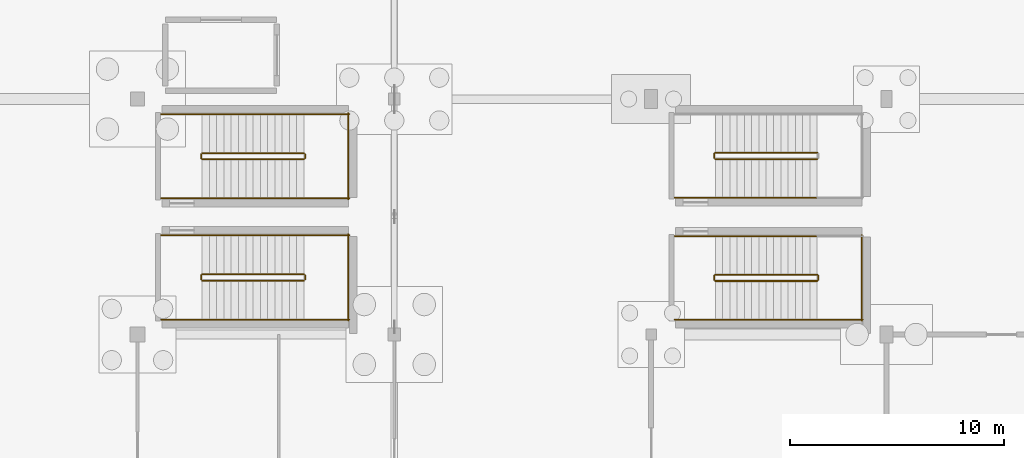
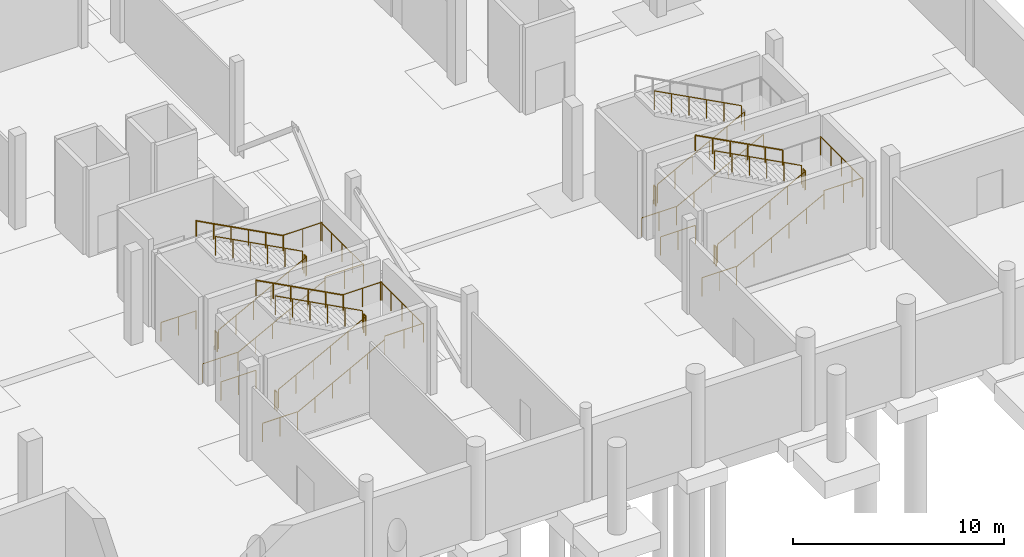
# One storey, part 53 of 60: 37 railings.
"""IFC4 building model written with IfcOpenShell, lengths in metres."""

from ifc_helpers import new_model, si_unit, direction, frame, origin, origin_2d, place, context, subcontext, project, spatial, circle, extrude, material, type_object, element, save


model = new_model("IFC4")

# Units and contexts
model_context = context("Model", 3, precision=1e-05, world=origin(), true_north=direction((0.0, 1.0)))
body_context = subcontext(model_context, "Body", "Model", "MODEL_VIEW")
ifc_project = project(units=[si_unit("LENGTHUNIT", "METRE"), si_unit("AREAUNIT", "SQUARE_METRE"), si_unit("VOLUMEUNIT", "CUBIC_METRE"), si_unit("PLANEANGLEUNIT", "RADIAN"), si_unit("MASSUNIT", "GRAM", prefix="KILO")], contexts=[model_context])

# Site, building, storey
site_placement = place(None, origin())
site = spatial("IfcSite", under=ifc_project, at=site_placement, CompositionType="ELEMENT")
building_placement = place(site_placement, origin())
building = spatial("IfcBuilding", under=site, at=building_placement, Name="Luwafu Chhajja Arena", CompositionType="ELEMENT")
storey_placement = place(building_placement, frame((0.0, 0.0, -5.39990234375)))
storey = spatial("IfcBuildingStorey", under=building, at=storey_placement, Name="B1", CompositionType="ELEMENT", Elevation=-5.39990234375)

# Railings
ifc_material_1 = material(Name="Stainless steel handrail", Category="steel")
railing_type_1 = type_object("IfcRailingType", Name="Stair Pitch Wall Handrail 920", PredefinedType="HANDRAIL", material=ifc_material_1)
railing_1_placement = place(storey_placement, frame((155.02001953125, 11.699951171875, 0.179931640625)))
element("IfcRailing", 1, at=railing_1_placement, inside=storey, type_object=railing_type_1, Name="B1 ST-03 stair handrail 1", PredefinedType="HANDRAIL", context=body_context, shape_type="SweptSolid", body=[
    extrude(circle(Radius=0.02392578125, at=origin_2d()), frame((0.0, 0.0, 0.8759765625), z_axis=(0.883786813738, 0.0, 0.467889803119), x_axis=(0.0, 1.0, 0.0)), (0.0, 0.0, 1.0), 5.385986328125),
    extrude(circle(Radius=0.02099609375, at=origin_2d()), origin(), (0.0, 0.0, 1.0), 0.851806640625),
    extrude(circle(Radius=0.02099609375, at=origin_2d()), frame((0.951904296875, 0.0, 0.50390625)), (0.0, 0.0, 1.0), 0.851806640625),
    extrude(circle(Radius=0.02099609375, at=origin_2d()), frame((1.904052734375, 0.0, 1.008056640625)), (0.0, 0.0, 1.0), 0.851806640625),
    extrude(circle(Radius=0.02099609375, at=origin_2d()), frame((2.85595703125, 0.0, 1.511962890625)), (0.0, 0.0, 1.0), 0.851806640625),
    extrude(circle(Radius=0.02099609375, at=origin_2d()), frame((3.80810546875, 0.0, 2.01611328125)), (0.0, 0.0, 1.0), 0.851806640625),
    extrude(circle(Radius=0.02099609375, at=origin_2d()), frame((4.760009765625, 0.0, 2.52001953125)), (0.0, 0.0, 1.0), 0.851806640625),
])
railing_2_placement = place(storey_placement, frame((159.780029296875, 15.639892578125, 2.8798828125)))
element("IfcRailing", 2, at=railing_2_placement, inside=storey, type_object=railing_type_1, Name="B1 ST-03 stair handrail 2", PredefinedType="HANDRAIL", context=body_context, shape_type="SweptSolid", body=[
    extrude(circle(Radius=0.02392578125, at=origin_2d()), frame((0.0, 0.0, 0.8759765625), z_axis=(-0.883786813738, 0.0, 0.467889803119), x_axis=(0.0, -1.0, 0.0)), (0.0, 0.0, 1.0), 5.385986328125),
    extrude(circle(Radius=0.02099609375, at=origin_2d()), origin(), (0.0, 0.0, 1.0), 0.851806640625),
    extrude(circle(Radius=0.02099609375, at=origin_2d()), frame((-0.951904296875, 0.0, 0.50390625)), (0.0, 0.0, 1.0), 0.851806640625),
    extrude(circle(Radius=0.02099609375, at=origin_2d()), frame((-1.904052734375, 0.0, 1.008056640625)), (0.0, 0.0, 1.0), 0.851806640625),
    extrude(circle(Radius=0.02099609375, at=origin_2d()), frame((-2.85595703125, 0.0, 1.511962890625)), (0.0, 0.0, 1.0), 0.851806640625),
    extrude(circle(Radius=0.02099609375, at=origin_2d()), frame((-3.80810546875, 0.0, 2.01611328125)), (0.0, 0.0, 1.0), 0.851806640625),
    extrude(circle(Radius=0.02099609375, at=origin_2d()), frame((-4.760009765625, 0.0, 2.52001953125)), (0.0, 0.0, 1.0), 0.851806640625),
])
railing_3_placement = place(storey_placement, frame((155.02001953125, 17.360107421875, 0.179931640625)))
element("IfcRailing", 3, at=railing_3_placement, inside=storey, type_object=railing_type_1, Name="B1 ST-04 stair handrail 1", PredefinedType="HANDRAIL", context=body_context, shape_type="SweptSolid", body=[
    extrude(circle(Radius=0.02392578125, at=origin_2d()), frame((0.0, 0.0, 0.8759765625), z_axis=(0.883786813738, 0.0, 0.467889803119), x_axis=(0.0, 1.0, 0.0)), (0.0, 0.0, 1.0), 5.385986328125),
    extrude(circle(Radius=0.02099609375, at=origin_2d()), origin(), (0.0, 0.0, 1.0), 0.851806640625),
    extrude(circle(Radius=0.02099609375, at=origin_2d()), frame((0.951904296875, 0.0, 0.50390625)), (0.0, 0.0, 1.0), 0.851806640625),
    extrude(circle(Radius=0.02099609375, at=origin_2d()), frame((1.904052734375, 0.0, 1.008056640625)), (0.0, 0.0, 1.0), 0.851806640625),
    extrude(circle(Radius=0.02099609375, at=origin_2d()), frame((2.85595703125, 0.0, 1.511962890625)), (0.0, 0.0, 1.0), 0.851806640625),
    extrude(circle(Radius=0.02099609375, at=origin_2d()), frame((3.80810546875, 0.0, 2.01611328125)), (0.0, 0.0, 1.0), 0.851806640625),
    extrude(circle(Radius=0.02099609375, at=origin_2d()), frame((4.760009765625, 0.0, 2.52001953125)), (0.0, 0.0, 1.0), 0.851806640625),
])
railing_4_placement = place(storey_placement, frame((159.780029296875, 21.300048828125, 2.8798828125)))
element("IfcRailing", 4, at=railing_4_placement, inside=storey, type_object=railing_type_1, Name="B1 ST-04 stair handrail 2", PredefinedType="HANDRAIL", context=body_context, shape_type="SweptSolid", body=[
    extrude(circle(Radius=0.02392578125, at=origin_2d()), frame((0.0, 0.0, 0.8759765625), z_axis=(-0.883786813738, 0.0, 0.467889803119), x_axis=(0.0, -1.0, 0.0)), (0.0, 0.0, 1.0), 5.385986328125),
    extrude(circle(Radius=0.02099609375, at=origin_2d()), origin(), (0.0, 0.0, 1.0), 0.851806640625),
    extrude(circle(Radius=0.02099609375, at=origin_2d()), frame((-0.951904296875, 0.0, 0.50390625)), (0.0, 0.0, 1.0), 0.851806640625),
    extrude(circle(Radius=0.02099609375, at=origin_2d()), frame((-1.904052734375, 0.0, 1.008056640625)), (0.0, 0.0, 1.0), 0.851806640625),
    extrude(circle(Radius=0.02099609375, at=origin_2d()), frame((-2.85595703125, 0.0, 1.511962890625)), (0.0, 0.0, 1.0), 0.851806640625),
    extrude(circle(Radius=0.02099609375, at=origin_2d()), frame((-3.80810546875, 0.0, 2.01611328125)), (0.0, 0.0, 1.0), 0.851806640625),
    extrude(circle(Radius=0.02099609375, at=origin_2d()), frame((-4.760009765625, 0.0, 2.52001953125)), (0.0, 0.0, 1.0), 0.851806640625),
])
railing_5_placement = place(storey_placement, frame((179.0, 11.699951171875, 0.179931640625)))
element("IfcRailing", 5, at=railing_5_placement, inside=storey, type_object=railing_type_1, Name="B1 ST-15 stair handrail 1", PredefinedType="HANDRAIL", context=body_context, shape_type="SweptSolid", body=[
    extrude(circle(Radius=0.02392578125, at=origin_2d()), frame((0.0, 0.0, 0.8759765625), z_axis=(0.883786813738, 0.0, 0.467889803119), x_axis=(0.0, 1.0, 0.0)), (0.0, 0.0, 1.0), 5.385986328125),
    extrude(circle(Radius=0.02099609375, at=origin_2d()), origin(), (0.0, 0.0, 1.0), 0.851806640625),
    extrude(circle(Radius=0.02099609375, at=origin_2d()), frame((0.951904296875, 0.0, 0.50390625)), (0.0, 0.0, 1.0), 0.851806640625),
    extrude(circle(Radius=0.02099609375, at=origin_2d()), frame((1.904052734375, 0.0, 1.008056640625)), (0.0, 0.0, 1.0), 0.851806640625),
    extrude(circle(Radius=0.02099609375, at=origin_2d()), frame((2.85595703125, 0.0, 1.511962890625)), (0.0, 0.0, 1.0), 0.851806640625),
    extrude(circle(Radius=0.02099609375, at=origin_2d()), frame((3.80810546875, 0.0, 2.01611328125)), (0.0, 0.0, 1.0), 0.851806640625),
    extrude(circle(Radius=0.02099609375, at=origin_2d()), frame((4.760009765625, 0.0, 2.52001953125)), (0.0, 0.0, 1.0), 0.851806640625),
])
railing_6_placement = place(storey_placement, frame((183.760009765625, 15.60009765625, 2.8798828125)))
element("IfcRailing", 6, at=railing_6_placement, inside=storey, type_object=railing_type_1, Name="B1 ST-15 stair handrail 2", PredefinedType="HANDRAIL", context=body_context, shape_type="SweptSolid", body=[
    extrude(circle(Radius=0.02392578125, at=origin_2d()), frame((0.0, 0.0, 0.8759765625), z_axis=(-0.883786813738, 0.0, 0.467889803119), x_axis=(0.0, -1.0, 0.0)), (0.0, 0.0, 1.0), 5.385986328125),
    extrude(circle(Radius=0.02099609375, at=origin_2d()), origin(), (0.0, 0.0, 1.0), 0.851806640625),
    extrude(circle(Radius=0.02099609375, at=origin_2d()), frame((-0.951904296875, 0.0, 0.50390625)), (0.0, 0.0, 1.0), 0.851806640625),
    extrude(circle(Radius=0.02099609375, at=origin_2d()), frame((-1.904052734375, 0.0, 1.008056640625)), (0.0, 0.0, 1.0), 0.851806640625),
    extrude(circle(Radius=0.02099609375, at=origin_2d()), frame((-2.85595703125, 0.0, 1.511962890625)), (0.0, 0.0, 1.0), 0.851806640625),
    extrude(circle(Radius=0.02099609375, at=origin_2d()), frame((-3.80810546875, 0.0, 2.01611328125)), (0.0, 0.0, 1.0), 0.851806640625),
    extrude(circle(Radius=0.02099609375, at=origin_2d()), frame((-4.760009765625, 0.0, 2.52001953125)), (0.0, 0.0, 1.0), 0.851806640625),
])
railing_7_placement = place(storey_placement, frame((179.0, 17.39990234375, 0.179931640625)))
element("IfcRailing", 7, at=railing_7_placement, inside=storey, type_object=railing_type_1, Name="B1 ST-16 stair handrail 1", PredefinedType="HANDRAIL", context=body_context, shape_type="SweptSolid", body=[
    extrude(circle(Radius=0.02392578125, at=origin_2d()), frame((0.0, 0.0, 0.8759765625), z_axis=(0.883786813738, 0.0, 0.467889803119), x_axis=(0.0, 1.0, 0.0)), (0.0, 0.0, 1.0), 5.385986328125),
    extrude(circle(Radius=0.02099609375, at=origin_2d()), origin(), (0.0, 0.0, 1.0), 0.851806640625),
    extrude(circle(Radius=0.02099609375, at=origin_2d()), frame((0.951904296875, 0.0, 0.50390625)), (0.0, 0.0, 1.0), 0.851806640625),
    extrude(circle(Radius=0.02099609375, at=origin_2d()), frame((1.904052734375, 0.0, 1.008056640625)), (0.0, 0.0, 1.0), 0.851806640625),
    extrude(circle(Radius=0.02099609375, at=origin_2d()), frame((2.85595703125, 0.0, 1.511962890625)), (0.0, 0.0, 1.0), 0.851806640625),
    extrude(circle(Radius=0.02099609375, at=origin_2d()), frame((3.80810546875, 0.0, 2.01611328125)), (0.0, 0.0, 1.0), 0.851806640625),
    extrude(circle(Radius=0.02099609375, at=origin_2d()), frame((4.760009765625, 0.0, 2.52001953125)), (0.0, 0.0, 1.0), 0.851806640625),
])
ifc_material_2 = material(Name="Stainless steel balustrade", Category="steel")
railing_type_2 = type_object("IfcRailingType", Name="Stair and Terrace Guard Balustrade 1100", PredefinedType="BALUSTRADE", material=ifc_material_2)
railing_8_placement = place(storey_placement, frame((155.02001953125, 13.52001953125, 0.179931640625)))
element("IfcRailing", 8, at=railing_8_placement, inside=storey, type_object=railing_type_2, Name="B1 ST-03 stair guard 1", PredefinedType="BALUSTRADE", context=body_context, shape_type="SweptSolid", body=[
    extrude(circle(Radius=0.02392578125, at=origin_2d()), frame((0.0, 0.0, 1.076171875), z_axis=(0.883786813738, 0.0, 0.467889803119), x_axis=(0.0, 1.0, 0.0)), (0.0, 0.0, 1.0), 5.385986328125),
    extrude(circle(Radius=0.02099609375, at=origin_2d()), origin(), (0.0, 0.0, 1.0), 1.052001953125),
    extrude(circle(Radius=0.02099609375, at=origin_2d()), frame((0.951904296875, 0.0, 0.50390625)), (0.0, 0.0, 1.0), 1.052001953125),
    extrude(circle(Radius=0.02099609375, at=origin_2d()), frame((1.904052734375, 0.0, 1.008056640625)), (0.0, 0.0, 1.0), 1.052001953125),
    extrude(circle(Radius=0.02099609375, at=origin_2d()), frame((2.85595703125, 0.0, 1.511962890625)), (0.0, 0.0, 1.0), 1.052001953125),
    extrude(circle(Radius=0.02099609375, at=origin_2d()), frame((3.80810546875, 0.0, 2.01611328125)), (0.0, 0.0, 1.0), 1.052001953125),
    extrude(circle(Radius=0.02099609375, at=origin_2d()), frame((4.760009765625, 0.0, 2.52001953125)), (0.0, 0.0, 1.0), 1.052001953125),
])
railing_9_placement = place(storey_placement, frame((159.830078125, 13.570068359375, 2.699951171875)))
element("IfcRailing", 9, at=railing_9_placement, inside=storey, type_object=railing_type_2, Name="B1 ST-03 stair guard 2", PredefinedType="BALUSTRADE", context=body_context, shape_type="SweptSolid", body=[
    extrude(circle(Radius=0.02392578125, at=origin_2d()), frame((0.0, 0.0, 1.076171875), z_axis=(0.0, 1.0, 0.0), x_axis=(-1.0, 0.0, 0.0)), (0.0, 0.0, 1.0), 0.199951171875),
    extrude(circle(Radius=0.02099609375, at=origin_2d()), origin(), (0.0, 0.0, 1.0), 1.052001953125),
    extrude(circle(Radius=0.02099609375, at=origin_2d()), frame((0.0, 0.199951171875, 0.0)), (0.0, 0.0, 1.0), 1.052001953125),
])
for number, where, name in (
    (10, (159.780029296875, 11.699951171875, 2.699951171875), "B1 ST-03 stair guard 3"),
    (11, (159.780029296875, 15.639892578125, 2.699951171875), "B1 ST-03 stair guard 4"),
):
    element("IfcRailing", number, at=place(storey_placement, frame(where)), inside=storey, type_object=railing_type_2, Name=name, PredefinedType="BALUSTRADE", context=body_context, shape_type="SweptSolid", body=[
        extrude(circle(Radius=0.02392578125, at=origin_2d()), frame((0.0, 0.0, 1.076171875), z_axis=(1.0, 0.0, 0.0), x_axis=(0.0, 1.0, 0.0)), (0.0, 0.0, 1.0), 2.119873046875),
        extrude(circle(Radius=0.02099609375, at=origin_2d()), origin(), (0.0, 0.0, 1.0), 1.052001953125),
        extrude(circle(Radius=0.02099609375, at=origin_2d()), frame((1.06005859375, 0.0, 0.0)), (0.0, 0.0, 1.0), 1.052001953125),
        extrude(circle(Radius=0.02099609375, at=origin_2d()), frame((2.119873046875, 0.0, 0.0)), (0.0, 0.0, 1.0), 1.052001953125),
    ])
railing_10_placement = place(storey_placement, frame((161.85009765625, 11.64990234375, 2.699951171875)))
element("IfcRailing", 12, at=railing_10_placement, inside=storey, type_object=railing_type_2, Name="B1 ST-03 stair guard 5", PredefinedType="BALUSTRADE", context=body_context, shape_type="SweptSolid", body=[
    extrude(circle(Radius=0.02392578125, at=origin_2d()), frame((0.0, 0.0, 1.076171875), z_axis=(0.0, 1.0, 0.0), x_axis=(-1.0, 0.0, 0.0)), (0.0, 0.0, 1.0), 4.0400390625),
    extrude(circle(Radius=0.02099609375, at=origin_2d()), origin(), (0.0, 0.0, 1.0), 1.052001953125),
    extrude(circle(Radius=0.02099609375, at=origin_2d()), frame((0.0, 1.010009765625, 0.0)), (0.0, 0.0, 1.0), 1.052001953125),
    extrude(circle(Radius=0.02099609375, at=origin_2d()), frame((0.0, 2.02001953125, 0.0)), (0.0, 0.0, 1.0), 1.052001953125),
    extrude(circle(Radius=0.02099609375, at=origin_2d()), frame((0.0, 3.030029296875, 0.0)), (0.0, 0.0, 1.0), 1.052001953125),
    extrude(circle(Radius=0.02099609375, at=origin_2d()), frame((0.0, 4.0400390625, 0.0)), (0.0, 0.0, 1.0), 1.052001953125),
])
railing_11_placement = place(storey_placement, frame((159.780029296875, 13.820068359375, 2.8798828125)))
element("IfcRailing", 13, at=railing_11_placement, inside=storey, type_object=railing_type_2, Name="B1 ST-03 stair guard 6", PredefinedType="BALUSTRADE", context=body_context, shape_type="SweptSolid", body=[
    extrude(circle(Radius=0.02392578125, at=origin_2d()), frame((0.0, 0.0, 1.076171875), z_axis=(-0.883786813738, 0.0, 0.467889803119), x_axis=(0.0, -1.0, 0.0)), (0.0, 0.0, 1.0), 5.385986328125),
    extrude(circle(Radius=0.02099609375, at=origin_2d()), origin(), (0.0, 0.0, 1.0), 1.052001953125),
    extrude(circle(Radius=0.02099609375, at=origin_2d()), frame((-0.951904296875, 0.0, 0.50390625)), (0.0, 0.0, 1.0), 1.052001953125),
    extrude(circle(Radius=0.02099609375, at=origin_2d()), frame((-1.904052734375, 0.0, 1.008056640625)), (0.0, 0.0, 1.0), 1.052001953125),
    extrude(circle(Radius=0.02099609375, at=origin_2d()), frame((-2.85595703125, 0.0, 1.511962890625)), (0.0, 0.0, 1.0), 1.052001953125),
    extrude(circle(Radius=0.02099609375, at=origin_2d()), frame((-3.80810546875, 0.0, 2.01611328125)), (0.0, 0.0, 1.0), 1.052001953125),
    extrude(circle(Radius=0.02099609375, at=origin_2d()), frame((-4.760009765625, 0.0, 2.52001953125)), (0.0, 0.0, 1.0), 1.052001953125),
])
railing_12_placement = place(storey_placement, frame((154.969970703125, 13.570068359375, 0.0)))
element("IfcRailing", 14, at=railing_12_placement, inside=storey, type_object=railing_type_2, Name="B1 ST-03 stair guard 7", PredefinedType="BALUSTRADE", context=body_context, shape_type="SweptSolid", body=[
    extrude(circle(Radius=0.02392578125, at=origin_2d()), frame((0.0, 0.0, 1.076171875), z_axis=(0.0, 1.0, 0.0), x_axis=(-1.0, 0.0, 0.0)), (0.0, 0.0, 1.0), 0.199951171875),
    extrude(circle(Radius=0.02099609375, at=origin_2d()), origin(), (0.0, 0.0, 1.0), 1.052001953125),
    extrude(circle(Radius=0.02099609375, at=origin_2d()), frame((0.0, 0.199951171875, 0.0)), (0.0, 0.0, 1.0), 1.052001953125),
])
for number, where, name in (
    (15, (153.10009765625, 11.699951171875, 0.0), "B1 ST-03 stair guard 8"),
    (16, (153.10009765625, 15.639892578125, 0.0), "B1 ST-03 stair guard 9"),
):
    element("IfcRailing", number, at=place(storey_placement, frame(where)), inside=storey, type_object=railing_type_2, Name=name, PredefinedType="BALUSTRADE", context=body_context, shape_type="SweptSolid", body=[
        extrude(circle(Radius=0.02392578125, at=origin_2d()), frame((0.0, 0.0, 1.076171875), z_axis=(1.0, 0.0, 0.0), x_axis=(0.0, 1.0, 0.0)), (0.0, 0.0, 1.0), 1.919921875),
        extrude(circle(Radius=0.02099609375, at=origin_2d()), origin(), (0.0, 0.0, 1.0), 1.052001953125),
        extrude(circle(Radius=0.02099609375, at=origin_2d()), frame((0.9599609375, 0.0, 0.0)), (0.0, 0.0, 1.0), 1.052001953125),
        extrude(circle(Radius=0.02099609375, at=origin_2d()), frame((1.919921875, 0.0, 0.0)), (0.0, 0.0, 1.0), 1.052001953125),
    ])
railing_13_placement = place(storey_placement, frame((155.02001953125, 19.179931640625, 0.179931640625)))
element("IfcRailing", 17, at=railing_13_placement, inside=storey, type_object=railing_type_2, Name="B1 ST-04 stair guard 1", PredefinedType="BALUSTRADE", context=body_context, shape_type="SweptSolid", body=[
    extrude(circle(Radius=0.02392578125, at=origin_2d()), frame((0.0, 0.0, 1.076171875), z_axis=(0.883786813738, 0.0, 0.467889803119), x_axis=(0.0, 1.0, 0.0)), (0.0, 0.0, 1.0), 5.385986328125),
    extrude(circle(Radius=0.02099609375, at=origin_2d()), origin(), (0.0, 0.0, 1.0), 1.052001953125),
    extrude(circle(Radius=0.02099609375, at=origin_2d()), frame((0.951904296875, 0.0, 0.50390625)), (0.0, 0.0, 1.0), 1.052001953125),
    extrude(circle(Radius=0.02099609375, at=origin_2d()), frame((1.904052734375, 0.0, 1.008056640625)), (0.0, 0.0, 1.0), 1.052001953125),
    extrude(circle(Radius=0.02099609375, at=origin_2d()), frame((2.85595703125, 0.0, 1.511962890625)), (0.0, 0.0, 1.0), 1.052001953125),
    extrude(circle(Radius=0.02099609375, at=origin_2d()), frame((3.80810546875, 0.0, 2.01611328125)), (0.0, 0.0, 1.0), 1.052001953125),
    extrude(circle(Radius=0.02099609375, at=origin_2d()), frame((4.760009765625, 0.0, 2.52001953125)), (0.0, 0.0, 1.0), 1.052001953125),
])
railing_14_placement = place(storey_placement, frame((159.830078125, 19.22998046875, 2.699951171875)))
element("IfcRailing", 18, at=railing_14_placement, inside=storey, type_object=railing_type_2, Name="B1 ST-04 stair guard 2", PredefinedType="BALUSTRADE", context=body_context, shape_type="SweptSolid", body=[
    extrude(circle(Radius=0.02392578125, at=origin_2d()), frame((0.0, 0.0, 1.076171875), z_axis=(0.0, 1.0, 0.0), x_axis=(-1.0, 0.0, 0.0)), (0.0, 0.0, 1.0), 0.199951171875),
    extrude(circle(Radius=0.02099609375, at=origin_2d()), origin(), (0.0, 0.0, 1.0), 1.052001953125),
    extrude(circle(Radius=0.02099609375, at=origin_2d()), frame((0.0, 0.199951171875, 0.0)), (0.0, 0.0, 1.0), 1.052001953125),
])
for number, where, name in (
    (19, (159.780029296875, 17.360107421875, 2.699951171875), "B1 ST-04 stair guard 3"),
    (20, (159.780029296875, 21.300048828125, 2.699951171875), "B1 ST-04 stair guard 4"),
):
    element("IfcRailing", number, at=place(storey_placement, frame(where)), inside=storey, type_object=railing_type_2, Name=name, PredefinedType="BALUSTRADE", context=body_context, shape_type="SweptSolid", body=[
        extrude(circle(Radius=0.02392578125, at=origin_2d()), frame((0.0, 0.0, 1.076171875), z_axis=(1.0, 0.0, 0.0), x_axis=(0.0, 1.0, 0.0)), (0.0, 0.0, 1.0), 2.119873046875),
        extrude(circle(Radius=0.02099609375, at=origin_2d()), origin(), (0.0, 0.0, 1.0), 1.052001953125),
        extrude(circle(Radius=0.02099609375, at=origin_2d()), frame((1.06005859375, 0.0, 0.0)), (0.0, 0.0, 1.0), 1.052001953125),
        extrude(circle(Radius=0.02099609375, at=origin_2d()), frame((2.119873046875, 0.0, 0.0)), (0.0, 0.0, 1.0), 1.052001953125),
    ])
railing_15_placement = place(storey_placement, frame((161.85009765625, 17.31005859375, 2.699951171875)))
element("IfcRailing", 21, at=railing_15_placement, inside=storey, type_object=railing_type_2, Name="B1 ST-04 stair guard 5", PredefinedType="BALUSTRADE", context=body_context, shape_type="SweptSolid", body=[
    extrude(circle(Radius=0.02392578125, at=origin_2d()), frame((0.0, 0.0, 1.076171875), z_axis=(0.0, 1.0, 0.0), x_axis=(-1.0, 0.0, 0.0)), (0.0, 0.0, 1.0), 4.0400390625),
    extrude(circle(Radius=0.02099609375, at=origin_2d()), origin(), (0.0, 0.0, 1.0), 1.052001953125),
    extrude(circle(Radius=0.02099609375, at=origin_2d()), frame((0.0, 1.010009765625, 0.0)), (0.0, 0.0, 1.0), 1.052001953125),
    extrude(circle(Radius=0.02099609375, at=origin_2d()), frame((0.0, 2.02001953125, 0.0)), (0.0, 0.0, 1.0), 1.052001953125),
    extrude(circle(Radius=0.02099609375, at=origin_2d()), frame((0.0, 3.030029296875, 0.0)), (0.0, 0.0, 1.0), 1.052001953125),
    extrude(circle(Radius=0.02099609375, at=origin_2d()), frame((0.0, 4.0400390625, 0.0)), (0.0, 0.0, 1.0), 1.052001953125),
])
railing_16_placement = place(storey_placement, frame((159.780029296875, 19.47998046875, 2.8798828125)))
element("IfcRailing", 22, at=railing_16_placement, inside=storey, type_object=railing_type_2, Name="B1 ST-04 stair guard 6", PredefinedType="BALUSTRADE", context=body_context, shape_type="SweptSolid", body=[
    extrude(circle(Radius=0.02392578125, at=origin_2d()), frame((0.0, 0.0, 1.076171875), z_axis=(-0.883786813738, 0.0, 0.467889803119), x_axis=(0.0, -1.0, 0.0)), (0.0, 0.0, 1.0), 5.385986328125),
    extrude(circle(Radius=0.02099609375, at=origin_2d()), origin(), (0.0, 0.0, 1.0), 1.052001953125),
    extrude(circle(Radius=0.02099609375, at=origin_2d()), frame((-0.951904296875, 0.0, 0.50390625)), (0.0, 0.0, 1.0), 1.052001953125),
    extrude(circle(Radius=0.02099609375, at=origin_2d()), frame((-1.904052734375, 0.0, 1.008056640625)), (0.0, 0.0, 1.0), 1.052001953125),
    extrude(circle(Radius=0.02099609375, at=origin_2d()), frame((-2.85595703125, 0.0, 1.511962890625)), (0.0, 0.0, 1.0), 1.052001953125),
    extrude(circle(Radius=0.02099609375, at=origin_2d()), frame((-3.80810546875, 0.0, 2.01611328125)), (0.0, 0.0, 1.0), 1.052001953125),
    extrude(circle(Radius=0.02099609375, at=origin_2d()), frame((-4.760009765625, 0.0, 2.52001953125)), (0.0, 0.0, 1.0), 1.052001953125),
])
railing_17_placement = place(storey_placement, frame((154.969970703125, 19.22998046875, 0.0)))
element("IfcRailing", 23, at=railing_17_placement, inside=storey, type_object=railing_type_2, Name="B1 ST-04 stair guard 7", PredefinedType="BALUSTRADE", context=body_context, shape_type="SweptSolid", body=[
    extrude(circle(Radius=0.02392578125, at=origin_2d()), frame((0.0, 0.0, 1.076171875), z_axis=(0.0, 1.0, 0.0), x_axis=(-1.0, 0.0, 0.0)), (0.0, 0.0, 1.0), 0.199951171875),
    extrude(circle(Radius=0.02099609375, at=origin_2d()), origin(), (0.0, 0.0, 1.0), 1.052001953125),
    extrude(circle(Radius=0.02099609375, at=origin_2d()), frame((0.0, 0.199951171875, 0.0)), (0.0, 0.0, 1.0), 1.052001953125),
])
for number, where, name in (
    (24, (153.10009765625, 17.360107421875, 0.0), "B1 ST-04 stair guard 8"),
    (25, (153.10009765625, 21.300048828125, 0.0), "B1 ST-04 stair guard 9"),
):
    element("IfcRailing", number, at=place(storey_placement, frame(where)), inside=storey, type_object=railing_type_2, Name=name, PredefinedType="BALUSTRADE", context=body_context, shape_type="SweptSolid", body=[
        extrude(circle(Radius=0.02392578125, at=origin_2d()), frame((0.0, 0.0, 1.076171875), z_axis=(1.0, 0.0, 0.0), x_axis=(0.0, 1.0, 0.0)), (0.0, 0.0, 1.0), 1.919921875),
        extrude(circle(Radius=0.02099609375, at=origin_2d()), origin(), (0.0, 0.0, 1.0), 1.052001953125),
        extrude(circle(Radius=0.02099609375, at=origin_2d()), frame((0.9599609375, 0.0, 0.0)), (0.0, 0.0, 1.0), 1.052001953125),
        extrude(circle(Radius=0.02099609375, at=origin_2d()), frame((1.919921875, 0.0, 0.0)), (0.0, 0.0, 1.0), 1.052001953125),
    ])
railing_18_placement = place(storey_placement, frame((179.0, 13.5, 0.179931640625)))
element("IfcRailing", 26, at=railing_18_placement, inside=storey, type_object=railing_type_2, Name="B1 ST-15 stair guard 1", PredefinedType="BALUSTRADE", context=body_context, shape_type="SweptSolid", body=[
    extrude(circle(Radius=0.02392578125, at=origin_2d()), frame((0.0, 0.0, 1.076171875), z_axis=(0.883786813738, 0.0, 0.467889803119), x_axis=(0.0, 1.0, 0.0)), (0.0, 0.0, 1.0), 5.385986328125),
    extrude(circle(Radius=0.02099609375, at=origin_2d()), origin(), (0.0, 0.0, 1.0), 1.052001953125),
    extrude(circle(Radius=0.02099609375, at=origin_2d()), frame((0.951904296875, 0.0, 0.50390625)), (0.0, 0.0, 1.0), 1.052001953125),
    extrude(circle(Radius=0.02099609375, at=origin_2d()), frame((1.904052734375, 0.0, 1.008056640625)), (0.0, 0.0, 1.0), 1.052001953125),
    extrude(circle(Radius=0.02099609375, at=origin_2d()), frame((2.85595703125, 0.0, 1.511962890625)), (0.0, 0.0, 1.0), 1.052001953125),
    extrude(circle(Radius=0.02099609375, at=origin_2d()), frame((3.80810546875, 0.0, 2.01611328125)), (0.0, 0.0, 1.0), 1.052001953125),
    extrude(circle(Radius=0.02099609375, at=origin_2d()), frame((4.760009765625, 0.0, 2.52001953125)), (0.0, 0.0, 1.0), 1.052001953125),
])
railing_19_placement = place(storey_placement, frame((183.81005859375, 13.550048828125, 2.699951171875)))
element("IfcRailing", 27, at=railing_19_placement, inside=storey, type_object=railing_type_2, Name="B1 ST-15 stair guard 2", PredefinedType="BALUSTRADE", context=body_context, shape_type="SweptSolid", body=[
    extrude(circle(Radius=0.02392578125, at=origin_2d()), frame((0.0, 0.0, 1.076171875), z_axis=(0.0, 1.0, 0.0), x_axis=(-1.0, 0.0, 0.0)), (0.0, 0.0, 1.0), 0.199951171875),
    extrude(circle(Radius=0.02099609375, at=origin_2d()), origin(), (0.0, 0.0, 1.0), 1.052001953125),
    extrude(circle(Radius=0.02099609375, at=origin_2d()), frame((0.0, 0.199951171875, 0.0)), (0.0, 0.0, 1.0), 1.052001953125),
])
railing_20_placement = place(storey_placement, frame((183.760009765625, 11.699951171875, 2.699951171875)))
element("IfcRailing", 28, at=railing_20_placement, inside=storey, type_object=railing_type_2, Name="B1 ST-15 stair guard 3", PredefinedType="BALUSTRADE", context=body_context, shape_type="SweptSolid", body=[
    extrude(circle(Radius=0.02392578125, at=origin_2d()), frame((0.0, 0.0, 1.076171875), z_axis=(1.0, 0.0, 0.0), x_axis=(0.0, 1.0, 0.0)), (0.0, 0.0, 1.0), 2.139892578125),
    extrude(circle(Radius=0.02099609375, at=origin_2d()), origin(), (0.0, 0.0, 1.0), 1.052001953125),
    extrude(circle(Radius=0.02099609375, at=origin_2d()), frame((1.06982421875, 0.0, 0.0)), (0.0, 0.0, 1.0), 1.052001953125),
    extrude(circle(Radius=0.02099609375, at=origin_2d()), frame((2.139892578125, 0.0, 0.0)), (0.0, 0.0, 1.0), 1.052001953125),
])
railing_21_placement = place(storey_placement, frame((185.85009765625, 11.64990234375, 2.699951171875)))
element("IfcRailing", 29, at=railing_21_placement, inside=storey, type_object=railing_type_2, Name="B1 ST-15 stair guard 5", PredefinedType="BALUSTRADE", context=body_context, shape_type="SweptSolid", body=[
    extrude(circle(Radius=0.02392578125, at=origin_2d()), frame((0.0, 0.0, 1.076171875), z_axis=(0.0, 1.0, 0.0), x_axis=(-1.0, 0.0, 0.0)), (0.0, 0.0, 1.0), 4.0),
    extrude(circle(Radius=0.02099609375, at=origin_2d()), origin(), (0.0, 0.0, 1.0), 1.052001953125),
    extrude(circle(Radius=0.02099609375, at=origin_2d()), frame((0.0, 1.0, 0.0)), (0.0, 0.0, 1.0), 1.052001953125),
    extrude(circle(Radius=0.02099609375, at=origin_2d()), frame((0.0, 2.0, 0.0)), (0.0, 0.0, 1.0), 1.052001953125),
    extrude(circle(Radius=0.02099609375, at=origin_2d()), frame((0.0, 3.0, 0.0)), (0.0, 0.0, 1.0), 1.052001953125),
    extrude(circle(Radius=0.02099609375, at=origin_2d()), frame((0.0, 4.0, 0.0)), (0.0, 0.0, 1.0), 1.052001953125),
])
railing_22_placement = place(storey_placement, frame((183.760009765625, 13.800048828125, 2.8798828125)))
element("IfcRailing", 30, at=railing_22_placement, inside=storey, type_object=railing_type_2, Name="B1 ST-15 stair guard 6", PredefinedType="BALUSTRADE", context=body_context, shape_type="SweptSolid", body=[
    extrude(circle(Radius=0.02392578125, at=origin_2d()), frame((0.0, 0.0, 1.076171875), z_axis=(-0.883786813738, 0.0, 0.467889803119), x_axis=(0.0, -1.0, 0.0)), (0.0, 0.0, 1.0), 5.385986328125),
    extrude(circle(Radius=0.02099609375, at=origin_2d()), origin(), (0.0, 0.0, 1.0), 1.052001953125),
    extrude(circle(Radius=0.02099609375, at=origin_2d()), frame((-0.951904296875, 0.0, 0.50390625)), (0.0, 0.0, 1.0), 1.052001953125),
    extrude(circle(Radius=0.02099609375, at=origin_2d()), frame((-1.904052734375, 0.0, 1.008056640625)), (0.0, 0.0, 1.0), 1.052001953125),
    extrude(circle(Radius=0.02099609375, at=origin_2d()), frame((-2.85595703125, 0.0, 1.511962890625)), (0.0, 0.0, 1.0), 1.052001953125),
    extrude(circle(Radius=0.02099609375, at=origin_2d()), frame((-3.80810546875, 0.0, 2.01611328125)), (0.0, 0.0, 1.0), 1.052001953125),
    extrude(circle(Radius=0.02099609375, at=origin_2d()), frame((-4.760009765625, 0.0, 2.52001953125)), (0.0, 0.0, 1.0), 1.052001953125),
])
railing_23_placement = place(storey_placement, frame((178.949951171875, 13.550048828125, 0.0)))
element("IfcRailing", 31, at=railing_23_placement, inside=storey, type_object=railing_type_2, Name="B1 ST-15 stair guard 7", PredefinedType="BALUSTRADE", context=body_context, shape_type="SweptSolid", body=[
    extrude(circle(Radius=0.02392578125, at=origin_2d()), frame((0.0, 0.0, 1.076171875), z_axis=(0.0, 1.0, 0.0), x_axis=(-1.0, 0.0, 0.0)), (0.0, 0.0, 1.0), 0.199951171875),
    extrude(circle(Radius=0.02099609375, at=origin_2d()), origin(), (0.0, 0.0, 1.0), 1.052001953125),
    extrude(circle(Radius=0.02099609375, at=origin_2d()), frame((0.0, 0.199951171875, 0.0)), (0.0, 0.0, 1.0), 1.052001953125),
])
for number, where, name in (
    (32, (177.10009765625, 11.699951171875, 0.0), "B1 ST-15 stair guard 8"),
    (33, (177.10009765625, 15.60009765625, 0.0), "B1 ST-15 stair guard 9"),
):
    element("IfcRailing", number, at=place(storey_placement, frame(where)), inside=storey, type_object=railing_type_2, Name=name, PredefinedType="BALUSTRADE", context=body_context, shape_type="SweptSolid", body=[
        extrude(circle(Radius=0.02392578125, at=origin_2d()), frame((0.0, 0.0, 1.076171875), z_axis=(1.0, 0.0, 0.0), x_axis=(0.0, 1.0, 0.0)), (0.0, 0.0, 1.0), 1.89990234375),
        extrude(circle(Radius=0.02099609375, at=origin_2d()), origin(), (0.0, 0.0, 1.0), 1.052001953125),
        extrude(circle(Radius=0.02099609375, at=origin_2d()), frame((0.949951171875, 0.0, 0.0)), (0.0, 0.0, 1.0), 1.052001953125),
        extrude(circle(Radius=0.02099609375, at=origin_2d()), frame((1.89990234375, 0.0, 0.0)), (0.0, 0.0, 1.0), 1.052001953125),
    ])
railing_24_placement = place(storey_placement, frame((179.0, 19.199951171875, 0.179931640625)))
element("IfcRailing", 34, at=railing_24_placement, inside=storey, type_object=railing_type_2, Name="B1 ST-16 stair guard 1", PredefinedType="BALUSTRADE", context=body_context, shape_type="SweptSolid", body=[
    extrude(circle(Radius=0.02392578125, at=origin_2d()), frame((0.0, 0.0, 1.076171875), z_axis=(0.883786813738, 0.0, 0.467889803119), x_axis=(0.0, 1.0, 0.0)), (0.0, 0.0, 1.0), 5.385986328125),
    extrude(circle(Radius=0.02099609375, at=origin_2d()), origin(), (0.0, 0.0, 1.0), 1.052001953125),
    extrude(circle(Radius=0.02099609375, at=origin_2d()), frame((0.951904296875, 0.0, 0.50390625)), (0.0, 0.0, 1.0), 1.052001953125),
    extrude(circle(Radius=0.02099609375, at=origin_2d()), frame((1.904052734375, 0.0, 1.008056640625)), (0.0, 0.0, 1.0), 1.052001953125),
    extrude(circle(Radius=0.02099609375, at=origin_2d()), frame((2.85595703125, 0.0, 1.511962890625)), (0.0, 0.0, 1.0), 1.052001953125),
    extrude(circle(Radius=0.02099609375, at=origin_2d()), frame((3.80810546875, 0.0, 2.01611328125)), (0.0, 0.0, 1.0), 1.052001953125),
    extrude(circle(Radius=0.02099609375, at=origin_2d()), frame((4.760009765625, 0.0, 2.52001953125)), (0.0, 0.0, 1.0), 1.052001953125),
])
railing_25_placement = place(storey_placement, frame((183.760009765625, 19.5, 2.8798828125)))
element("IfcRailing", 35, at=railing_25_placement, inside=storey, type_object=railing_type_2, Name="B1 ST-16 stair guard 6", PredefinedType="BALUSTRADE", context=body_context, shape_type="SweptSolid", body=[
    extrude(circle(Radius=0.02392578125, at=origin_2d()), frame((0.0, 0.0, 1.076171875), z_axis=(-0.883786813738, 0.0, 0.467889803119), x_axis=(0.0, -1.0, 0.0)), (0.0, 0.0, 1.0), 5.385986328125),
    extrude(circle(Radius=0.02099609375, at=origin_2d()), origin(), (0.0, 0.0, 1.0), 1.052001953125),
    extrude(circle(Radius=0.02099609375, at=origin_2d()), frame((-0.951904296875, 0.0, 0.50390625)), (0.0, 0.0, 1.0), 1.052001953125),
    extrude(circle(Radius=0.02099609375, at=origin_2d()), frame((-1.904052734375, 0.0, 1.008056640625)), (0.0, 0.0, 1.0), 1.052001953125),
    extrude(circle(Radius=0.02099609375, at=origin_2d()), frame((-2.85595703125, 0.0, 1.511962890625)), (0.0, 0.0, 1.0), 1.052001953125),
    extrude(circle(Radius=0.02099609375, at=origin_2d()), frame((-3.80810546875, 0.0, 2.01611328125)), (0.0, 0.0, 1.0), 1.052001953125),
    extrude(circle(Radius=0.02099609375, at=origin_2d()), frame((-4.760009765625, 0.0, 2.52001953125)), (0.0, 0.0, 1.0), 1.052001953125),
])
railing_26_placement = place(storey_placement, frame((178.949951171875, 19.25, 0.0)))
element("IfcRailing", 36, at=railing_26_placement, inside=storey, type_object=railing_type_2, Name="B1 ST-16 stair guard 7", PredefinedType="BALUSTRADE", context=body_context, shape_type="SweptSolid", body=[
    extrude(circle(Radius=0.02392578125, at=origin_2d()), frame((0.0, 0.0, 1.076171875), z_axis=(0.0, 1.0, 0.0), x_axis=(-1.0, 0.0, 0.0)), (0.0, 0.0, 1.0), 0.199951171875),
    extrude(circle(Radius=0.02099609375, at=origin_2d()), origin(), (0.0, 0.0, 1.0), 1.052001953125),
    extrude(circle(Radius=0.02099609375, at=origin_2d()), frame((0.0, 0.199951171875, 0.0)), (0.0, 0.0, 1.0), 1.052001953125),
])
railing_27_placement = place(storey_placement, frame((177.10009765625, 17.39990234375, 0.0)))
element("IfcRailing", 37, at=railing_27_placement, inside=storey, type_object=railing_type_2, Name="B1 ST-16 stair guard 8", PredefinedType="BALUSTRADE", context=body_context, shape_type="SweptSolid", body=[
    extrude(circle(Radius=0.02392578125, at=origin_2d()), frame((0.0, 0.0, 1.076171875), z_axis=(1.0, 0.0, 0.0), x_axis=(0.0, 1.0, 0.0)), (0.0, 0.0, 1.0), 1.89990234375),
    extrude(circle(Radius=0.02099609375, at=origin_2d()), origin(), (0.0, 0.0, 1.0), 1.052001953125),
    extrude(circle(Radius=0.02099609375, at=origin_2d()), frame((0.949951171875, 0.0, 0.0)), (0.0, 0.0, 1.0), 1.052001953125),
    extrude(circle(Radius=0.02099609375, at=origin_2d()), frame((1.89990234375, 0.0, 0.0)), (0.0, 0.0, 1.0), 1.052001953125),
])

save(model, "model.ifc")
